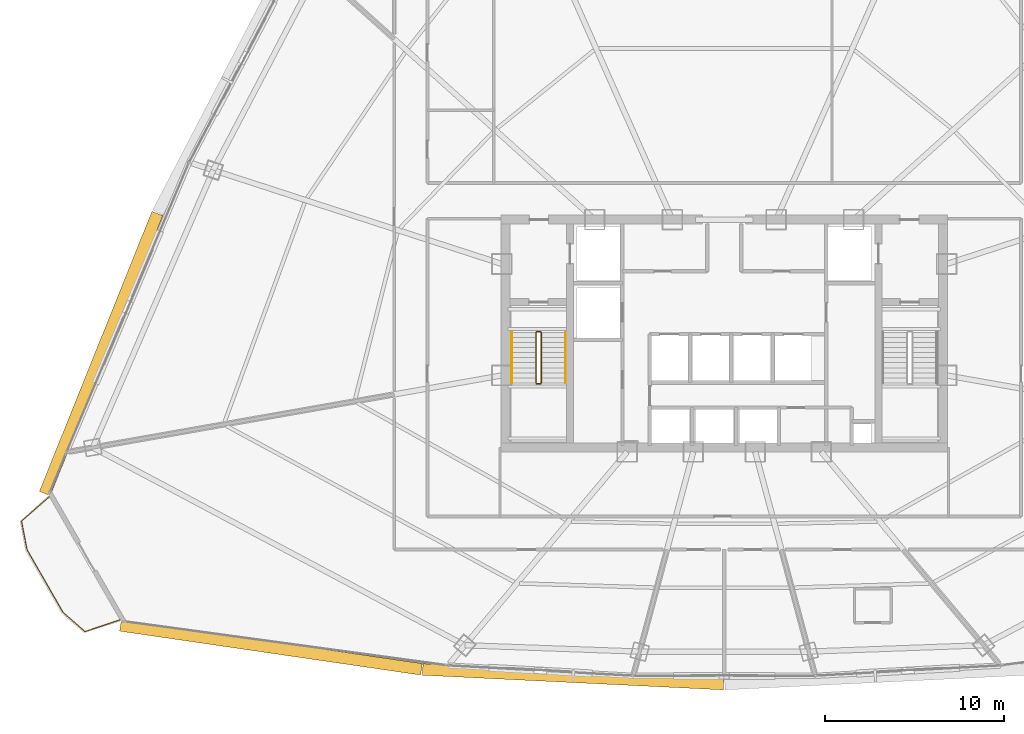
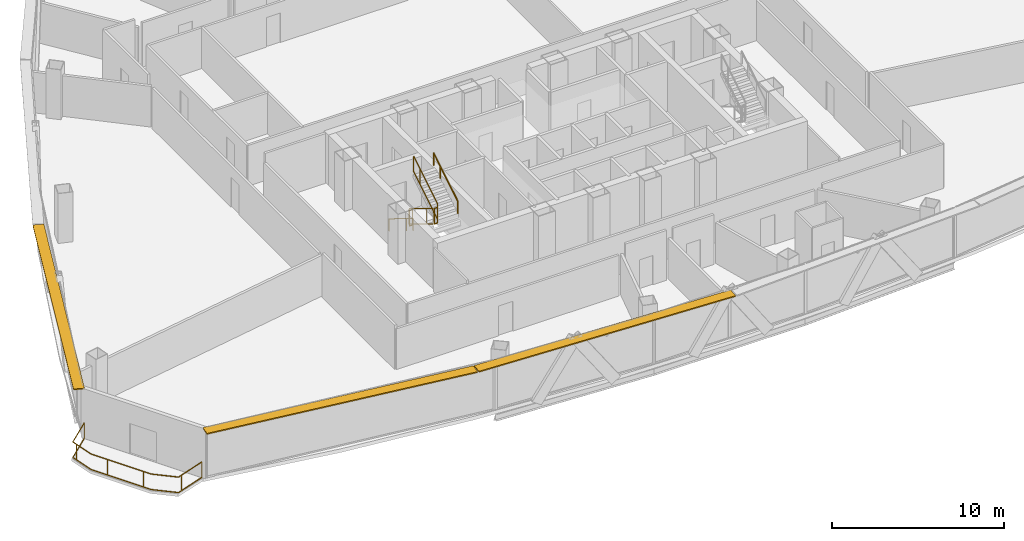
# One storey, part 33 of 36: 7 railings, 3 shading devices.
"""IFC4 building model written with IfcOpenShell, lengths in metres."""

from ifc_helpers import new_model, si_unit, direction, frame, origin, origin_2d, place, context, subcontext, project, spatial, rectangle, extrude, source, transform, mapped, material, layer, layer_set, type_object, element, save


model = new_model("IFC4")

# Units and contexts
model_context = context("Model", 3, precision=1e-05, world=origin(), true_north=direction((0.0, 1.0)))
body_context = subcontext(model_context, "Body", "Model", "MODEL_VIEW")
ifc_project = project(units=[si_unit("LENGTHUNIT", "METRE"), si_unit("AREAUNIT", "SQUARE_METRE"), si_unit("VOLUMEUNIT", "CUBIC_METRE"), si_unit("PLANEANGLEUNIT", "RADIAN"), si_unit("MASSUNIT", "GRAM", prefix="KILO"), si_unit("THERMODYNAMICTEMPERATUREUNIT", "KELVIN"), si_unit("POWERUNIT", "WATT")], contexts=[model_context])

# Site, building, storey
site_placement = place(None, origin())
site = spatial("IfcSite", under=ifc_project, at=site_placement, CompositionType="ELEMENT")
building_placement = place(site_placement, origin())
building = spatial("IfcBuilding", under=site, at=building_placement, Name="Yunzhuo Pagoda Commons", CompositionType="ELEMENT")
storey_placement = place(building_placement, frame((0.0, 0.0, 211.360107421875)))
storey = spatial("IfcBuildingStorey", under=building, at=storey_placement, Name="L53", CompositionType="ELEMENT", Elevation=211.360107421875)

# Railings
ifc_material = material(Name="Anodized aluminium 6063-T6", Category="aluminium")
railing_type_1 = type_object("IfcRailingType", Name="GR-ST1 Stair Well Guardrail 1150", PredefinedType="GUARDRAIL", material=ifc_material)
railing_1_placement = place(storey_placement, frame((37.5, 33.89990234375, 0.172607421875)))
element("IfcRailing", 1, at=railing_1_placement, inside=storey, type_object=railing_type_1, Name="L53 ST1 stair guard 1", PredefinedType="GUARDRAIL", context=body_context, shape_type="SweptSolid", body=[
    extrude(rectangle(XDim=0.048095703125, YDim=0.048095703125, at=origin_2d()), frame((0.0, 0.0, 1.1259765625), z_axis=(0.0, -0.851069175582, 0.525053576669), x_axis=(1.0, 0.0, 0.0)), (0.0, 0.0, 1.0), 3.289794921875),
    extrude(rectangle(XDim=0.048095703125, YDim=0.048095703125, at=origin_2d()), frame((0.0, 0.0, 0.02392578125), z_axis=(0.0, -0.851069175582, 0.525053576669), x_axis=(1.0, 0.0, 0.0)), (0.0, 0.0, 1.0), 3.289794921875),
    extrude(rectangle(XDim=0.0419921875, YDim=0.0419921875, at=origin_2d()), origin(), (0.0, 0.0, 1.0), 1.101806640625),
    extrude(rectangle(XDim=0.0419921875, YDim=0.0419921875, at=origin_2d()), frame((0.0, -2.04248046875, 1.260009765625)), (0.0, 0.0, 1.0), 1.101806640625),
    extrude(rectangle(XDim=0.0419921875, YDim=0.0419921875, at=origin_2d()), frame((0.0, -2.7998046875, 1.727294921875)), (0.0, 0.0, 1.0), 1.101806640625),
])
railing_2_placement = place(storey_placement, frame((37.550048828125, 31.050048828125, 1.89990234375)))
element("IfcRailing", 2, at=railing_2_placement, inside=storey, type_object=railing_type_1, Name="L53 ST1 stair guard 2", PredefinedType="GUARDRAIL", context=body_context, shape_type="SweptSolid", body=[
    extrude(rectangle(XDim=0.048095703125, YDim=0.048095703125, at=origin_2d()), frame((0.0, 0.0, 1.1259765625), z_axis=(1.0, 0.0, 0.0), x_axis=(0.0, 1.0, 0.0)), (0.0, 0.0, 1.0), 0.199951171875),
    extrude(rectangle(XDim=0.048095703125, YDim=0.048095703125, at=origin_2d()), frame((0.0, 0.0, 0.02392578125), z_axis=(1.0, 0.0, 0.0), x_axis=(0.0, 1.0, 0.0)), (0.0, 0.0, 1.0), 0.199951171875),
    extrude(rectangle(XDim=0.0419921875, YDim=0.0419921875, at=origin_2d()), origin(), (0.0, 0.0, 1.0), 1.101806640625),
    extrude(rectangle(XDim=0.0419921875, YDim=0.0419921875, at=origin_2d()), frame((0.199951171875, 0.0, 0.0)), (0.0, 0.0, 1.0), 1.101806640625),
])
railing_3_placement = place(storey_placement, frame((37.800048828125, 31.10009765625, 2.072509765625)))
element("IfcRailing", 3, at=railing_3_placement, inside=storey, type_object=railing_type_1, Name="L53 ST1 stair guard 3", PredefinedType="GUARDRAIL", context=body_context, shape_type="SweptSolid", body=[
    extrude(rectangle(XDim=0.048095703125, YDim=0.048095703125, at=origin_2d()), frame((0.0, 0.0, 1.1259765625), z_axis=(0.0, 0.851069175582, 0.525053576669), x_axis=(-1.0, 0.0, 0.0)), (0.0, 0.0, 1.0), 3.289794921875),
    extrude(rectangle(XDim=0.048095703125, YDim=0.048095703125, at=origin_2d()), frame((0.0, 0.0, 0.02392578125), z_axis=(0.0, 0.851069175582, 0.525053576669), x_axis=(-1.0, 0.0, 0.0)), (0.0, 0.0, 1.0), 3.289794921875),
    extrude(rectangle(XDim=0.0419921875, YDim=0.0419921875, at=origin_2d()), origin(), (0.0, 0.0, 1.0), 1.101806640625),
    extrude(rectangle(XDim=0.0419921875, YDim=0.0419921875, at=origin_2d()), frame((0.0, 2.04248046875, 1.260009765625)), (0.0, 0.0, 1.0), 1.101806640625),
    extrude(rectangle(XDim=0.0419921875, YDim=0.0419921875, at=origin_2d()), frame((0.0, 2.7998046875, 1.727294921875)), (0.0, 0.0, 1.0), 1.101806640625),
])
railing_4_placement = place(storey_placement, frame((37.550048828125, 33.949951171875, 0.0)))
element("IfcRailing", 4, at=railing_4_placement, inside=storey, type_object=railing_type_1, Name="L53 ST1 stair guard 4", PredefinedType="GUARDRAIL", context=body_context, shape_type="SweptSolid", body=[
    extrude(rectangle(XDim=0.048095703125, YDim=0.048095703125, at=origin_2d()), frame((0.0, 0.0, 1.1259765625), z_axis=(1.0, 0.0, 0.0), x_axis=(0.0, 1.0, 0.0)), (0.0, 0.0, 1.0), 0.199951171875),
    extrude(rectangle(XDim=0.048095703125, YDim=0.048095703125, at=origin_2d()), frame((0.0, 0.0, 0.02392578125), z_axis=(1.0, 0.0, 0.0), x_axis=(0.0, 1.0, 0.0)), (0.0, 0.0, 1.0), 0.199951171875),
    extrude(rectangle(XDim=0.0419921875, YDim=0.0419921875, at=origin_2d()), origin(), (0.0, 0.0, 1.0), 1.101806640625),
    extrude(rectangle(XDim=0.0419921875, YDim=0.0419921875, at=origin_2d()), frame((0.199951171875, 0.0, 0.0)), (0.0, 0.0, 1.0), 1.101806640625),
])
railing_type_2 = type_object("IfcRailingType", Name="HR-ST1 Stair Handrail 900", PredefinedType="HANDRAIL", material=ifc_material)
railing_5_placement = place(storey_placement, frame((36.14990234375, 33.89990234375, 0.172607421875)))
element("IfcRailing", 5, at=railing_5_placement, inside=storey, type_object=railing_type_2, Name="L53 ST1 stair handrail 1", PredefinedType="HANDRAIL", context=body_context, shape_type="SweptSolid", body=[
    extrude(rectangle(XDim=0.048095703125, YDim=0.048095703125, at=origin_2d()), frame((0.0, 0.0, 0.8759765625), z_axis=(0.0, -0.851069175582, 0.525053576669), x_axis=(1.0, 0.0, 0.0)), (0.0, 0.0, 1.0), 3.289794921875),
    extrude(rectangle(XDim=0.0419921875, YDim=0.0419921875, at=origin_2d()), origin(), (0.0, 0.0, 1.0), 0.851806640625),
    extrude(rectangle(XDim=0.0419921875, YDim=0.0419921875, at=origin_2d()), frame((0.0, -2.04248046875, 1.260009765625)), (0.0, 0.0, 1.0), 0.851806640625),
    extrude(rectangle(XDim=0.0419921875, YDim=0.0419921875, at=origin_2d()), frame((0.0, -2.7998046875, 1.727294921875)), (0.0, 0.0, 1.0), 0.851806640625),
])
railing_6_placement = place(storey_placement, frame((39.14990234375, 31.10009765625, 2.072509765625)))
element("IfcRailing", 6, at=railing_6_placement, inside=storey, type_object=railing_type_2, Name="L53 ST1 stair handrail 2", PredefinedType="HANDRAIL", context=body_context, shape_type="SweptSolid", body=[
    extrude(rectangle(XDim=0.048095703125, YDim=0.048095703125, at=origin_2d()), frame((0.0, 0.0, 0.8759765625), z_axis=(0.0, 0.851069175582, 0.525053576669), x_axis=(-1.0, 0.0, 0.0)), (0.0, 0.0, 1.0), 3.289794921875),
    extrude(rectangle(XDim=0.0419921875, YDim=0.0419921875, at=origin_2d()), origin(), (0.0, 0.0, 1.0), 0.851806640625),
    extrude(rectangle(XDim=0.0419921875, YDim=0.0419921875, at=origin_2d()), frame((0.0, 2.04248046875, 1.260009765625)), (0.0, 0.0, 1.0), 0.851806640625),
    extrude(rectangle(XDim=0.0419921875, YDim=0.0419921875, at=origin_2d()), frame((0.0, 2.7998046875, 1.727294921875)), (0.0, 0.0, 1.0), 0.851806640625),
])
railing_type_3 = type_object("IfcRailingType", Name="RL-BAL1 Exterior Terrace & Balcony Balustrade 1150", PredefinedType="BALUSTRADE", material=ifc_material)
railing_7_placement = place(storey_placement, frame((10.3671875, 24.74609375, 0.0)))
element("IfcRailing", 7, at=railing_7_placement, inside=storey, type_object=railing_type_3, Name="L53 corner balcony balustrade V1", PredefinedType="BALUSTRADE", context=body_context, shape_type="SweptSolid", body=[
    extrude(rectangle(XDim=0.048095703125, YDim=0.048095703125, at=origin_2d()), frame((0.0, 0.0, 1.1259765625), z_axis=(-0.753933830692, -0.656950362614, 0.0), x_axis=(0.656950362614, -0.753933830692, 0.0)), (0.0, 0.0, 1.0), 2.05908203125),
    extrude(rectangle(XDim=0.048095703125, YDim=0.048095703125, at=origin_2d()), frame((0.0, 0.0, 0.02392578125), z_axis=(-0.753933830692, -0.656950362614, 0.0), x_axis=(0.656950362614, -0.753933830692, 0.0)), (0.0, 0.0, 1.0), 2.05908203125),
    extrude(rectangle(XDim=0.048095703125, YDim=0.048095703125, at=origin_2d()), frame((-1.552490234375, -1.352783203125, 1.1259765625), z_axis=(0.188201640335, -0.982130410167, 0.0), x_axis=(0.982130410167, 0.188201640335, 0.0)), (0.0, 0.0, 1.0), 1.626708984375),
    extrude(rectangle(XDim=0.048095703125, YDim=0.048095703125, at=origin_2d()), frame((-1.552490234375, -1.352783203125, 0.02392578125), z_axis=(0.188201640335, -0.982130410167, 0.0), x_axis=(0.982130410167, 0.188201640335, 0.0)), (0.0, 0.0, 1.0), 1.626708984375),
    extrude(rectangle(XDim=0.048095703125, YDim=0.048095703125, at=origin_2d()), frame((-1.246337890625, -2.950439453125, 1.1259765625), z_axis=(0.497935758884, -0.86721391826, 0.0), x_axis=(0.86721391826, 0.497935758884, 0.0)), (0.0, 0.0, 1.0), 4.0361328125),
    extrude(rectangle(XDim=0.048095703125, YDim=0.048095703125, at=origin_2d()), frame((-1.246337890625, -2.950439453125, 0.02392578125), z_axis=(0.497935758884, -0.86721391826, 0.0), x_axis=(0.86721391826, 0.497935758884, 0.0)), (0.0, 0.0, 1.0), 4.0361328125),
    extrude(rectangle(XDim=0.048095703125, YDim=0.048095703125, at=origin_2d()), frame((0.763427734375, -6.45068359375, 1.1259765625), z_axis=(0.753282721455, -0.657696846242, 0.0), x_axis=(0.657696846242, 0.753282721455, 0.0)), (0.0, 0.0, 1.0), 1.626953125),
    extrude(rectangle(XDim=0.048095703125, YDim=0.048095703125, at=origin_2d()), frame((0.763427734375, -6.45068359375, 0.02392578125), z_axis=(0.753282721455, -0.657696846242, 0.0), x_axis=(0.657696846242, 0.753282721455, 0.0)), (0.0, 0.0, 1.0), 1.626953125),
    extrude(rectangle(XDim=0.048095703125, YDim=0.048095703125, at=origin_2d()), frame((1.989013671875, -7.520751953125, 1.1259765625), z_axis=(0.947419062147, 0.319995501031, 0.0), x_axis=(-0.319995501031, 0.947419062147, 0.0)), (0.0, 0.0, 1.0), 2.05908203125),
    extrude(rectangle(XDim=0.048095703125, YDim=0.048095703125, at=origin_2d()), frame((1.989013671875, -7.520751953125, 0.02392578125), z_axis=(0.947419062147, 0.319995501031, 0.0), x_axis=(-0.319995501031, 0.947419062147, 0.0)), (0.0, 0.0, 1.0), 2.05908203125),
    extrude(rectangle(XDim=0.0419921875, YDim=0.0419921875, at=origin_2d()), origin(), (0.0, 0.0, 1.0), 1.101806640625),
    extrude(rectangle(XDim=0.0419921875, YDim=0.0419921875, at=origin_2d()), frame((-1.48828125, -1.6875, 0.0)), (0.0, 0.0, 1.0), 1.101806640625),
    extrude(rectangle(XDim=0.0419921875, YDim=0.0419921875, at=origin_2d()), frame((-0.691650390625, -3.91650390625, 0.0)), (0.0, 0.0, 1.0), 1.101806640625),
    extrude(rectangle(XDim=0.0419921875, YDim=0.0419921875, at=origin_2d()), frame((0.50341796875, -5.997802734375, 0.0)), (0.0, 0.0, 1.0), 1.101806640625),
    extrude(rectangle(XDim=0.0419921875, YDim=0.0419921875, at=origin_2d()), frame((2.226806640625, -7.4404296875, 0.0)), (0.0, 0.0, 1.0), 1.101806640625),
    extrude(rectangle(XDim=0.0419921875, YDim=0.0419921875, at=origin_2d()), frame((3.93994140625, -6.86181640625, 0.0)), (0.0, 0.0, 1.0), 1.101806640625),
])

# Shading devices
ifc_layer = layer(ifc_material, 0.080078125)
ifc_layer_set = layer_set([ifc_layer], Name="Anodized aluminium 6063-T6")
shading_device_type = type_object("IfcShadingDeviceType", Name="SH-SUN1 Pagoda Horizontal Sunshade Eave 650", PredefinedType="USERDEFINED", material=ifc_layer_set)
shared_shape_1 = source(origin(), body_context, "Body", "SweptSolid", [
    extrude(rectangle(XDim=16.96484375, YDim=0.64990234375, at=origin_2d()), origin(), (0.0, 0.0, 1.0), 0.080078125),
])
shading_device_1_placement = place(storey_placement, frame((22.7255859375, 16.34912109375, 3.4599609375), z_axis=(0.0, 0.0, 1.0), x_axis=(0.989510666697, -0.144459823108, 0.0)))
element("IfcShadingDevice", 8, at=shading_device_1_placement, inside=storey, type_object=shading_device_type, Name="L53 horizontal pagoda sunshade eave F1.1", ObjectType="SUNSHADE", PredefinedType="USERDEFINED", context=body_context, shape_type="MappedRepresentation", body=[
    mapped(shared_shape_1, transform((0.0, 0.0, 0.0), scale=1.0)),
])
shared_shape_2 = source(origin(), body_context, "Body", "SweptSolid", [
    extrude(rectangle(XDim=16.806396484375, YDim=0.64990234375, at=origin_2d()), origin(), (0.0, 0.0, 1.0), 0.080078125),
])
shading_device_2_placement = place(storey_placement, frame((39.5751953125, 14.70947265625, 3.4599609375), z_axis=(0.0, 0.0, 1.0), x_axis=(0.998818043775, -0.04860571396, 0.0)))
element("IfcShadingDevice", 9, at=shading_device_2_placement, inside=storey, type_object=shading_device_type, Name="L53 horizontal pagoda sunshade eave F1.2", ObjectType="SUNSHADE", PredefinedType="USERDEFINED", context=body_context, shape_type="MappedRepresentation", body=[
    mapped(shared_shape_2, transform((0.0, 0.0, 0.0), scale=1.0)),
])
shared_shape_3 = source(origin(), body_context, "Body", "SweptSolid", [
    extrude(rectangle(XDim=16.82861328125, YDim=0.64990234375, at=origin_2d()), origin(), (0.0, 0.0, 1.0), 0.080078125),
])
shading_device_3_placement = place(storey_placement, frame((13.25048828125, 32.730712890625, 3.4599609375), z_axis=(0.0, 0.0, 1.0), x_axis=(-0.372987782576, -0.927836253899, 0.0)))
element("IfcShadingDevice", 10, at=shading_device_3_placement, inside=storey, type_object=shading_device_type, Name="L53 horizontal pagoda sunshade eave F3.4", ObjectType="SUNSHADE", PredefinedType="USERDEFINED", context=body_context, shape_type="MappedRepresentation", body=[
    mapped(shared_shape_3, transform((0.0, 0.0, 0.0), scale=1.0)),
])

save(model, "model.ifc")
